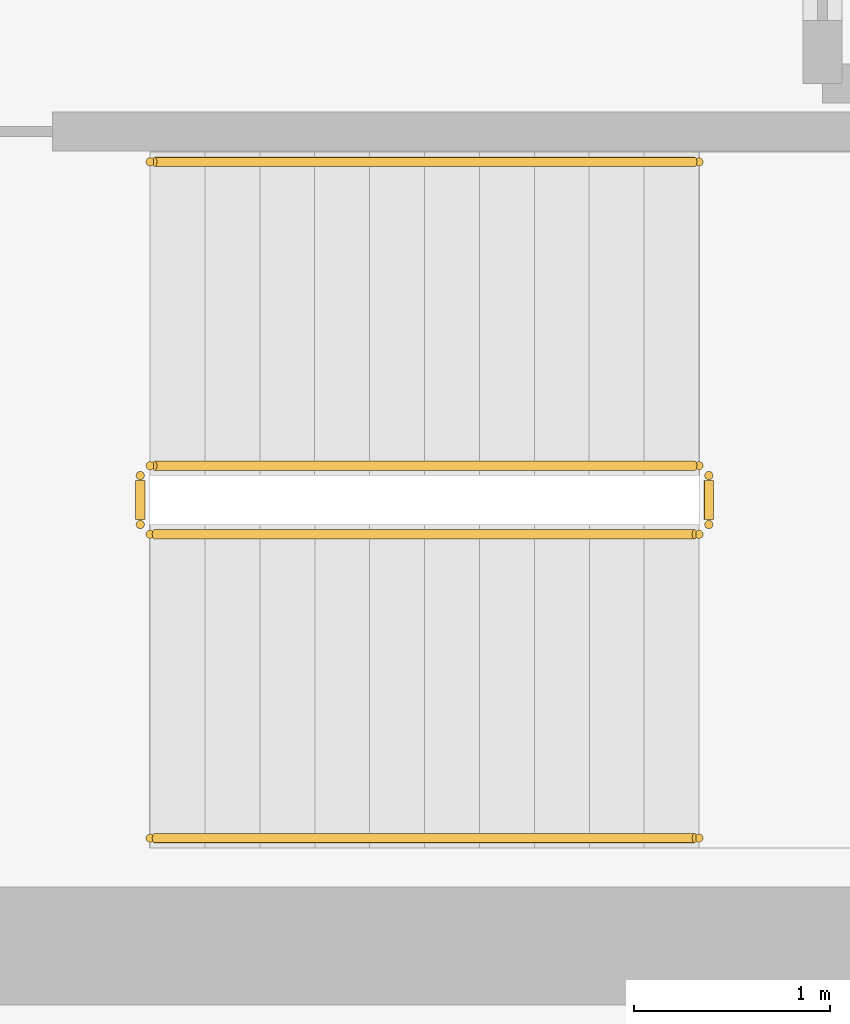
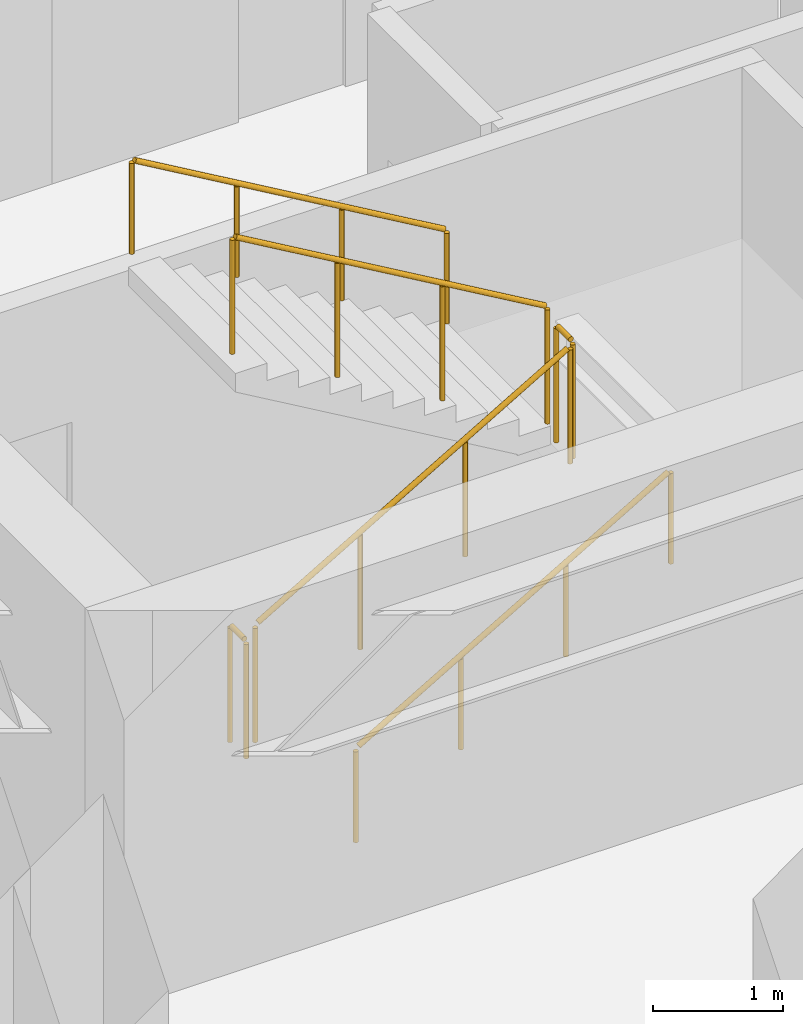
# One storey, part 11 of 11: 6 railings.
"""IFC4 building model written with IfcOpenShell, lengths in metres."""

from ifc_helpers import new_model, si_unit, direction, frame, origin, origin_2d, place, context, subcontext, project, spatial, circle, extrude, source, transform, mapped, material, layer, layer_set, type_object, element, save


model = new_model("IFC4")

# Units and contexts
model_context = context("Model", 3, precision=1e-05, world=origin(), true_north=direction((0.0, 1.0)))
body_context = subcontext(model_context, "Body", "Model", "MODEL_VIEW")
ifc_project = project(units=[si_unit("LENGTHUNIT", "METRE"), si_unit("AREAUNIT", "SQUARE_METRE"), si_unit("VOLUMEUNIT", "CUBIC_METRE"), si_unit("PLANEANGLEUNIT", "RADIAN"), si_unit("MASSUNIT", "GRAM", prefix="KILO")], contexts=[model_context])

# Site, building, storey
site_placement = place(None, origin())
site = spatial("IfcSite", under=ifc_project, at=site_placement, CompositionType="ELEMENT")
building_placement = place(site_placement, origin())
building = spatial("IfcBuilding", under=site, at=building_placement, Name="Kharzan Plaza Tower", CompositionType="ELEMENT")
storey_placement = place(building_placement, frame((0.0, 0.0, 193.5)))
storey = spatial("IfcBuildingStorey", under=building, at=storey_placement, Name="L52", CompositionType="ELEMENT", Elevation=193.5)

# Railings
ifc_material_1 = material(Name="Painted Galvanized Architectural Steel", Category="steel")
ifc_layer_1 = layer(ifc_material_1, 0.074951171875)
ifc_layer_set_1 = layer_set([ifc_layer_1], Name="Painted Galvanized Architectural Steel")
railing_type_1 = type_object("IfcRailingType", Name="RL-GUARD-1120", PredefinedType="BALUSTRADE", material=ifc_layer_set_1)
shared_shape_1 = source(origin(), body_context, "Body", "SweptSolid", [
    extrude(circle(Radius=0.02392578125, at=origin_2d()), frame((0.0, 0.0263671875, 1.09619140625), z_axis=(0.0, 1.0, 0.0), x_axis=(-1.0, 0.0, 0.0)), (0.0, 0.0, 1.0), 0.197021484375),
    extrude(circle(Radius=0.02099609375, at=origin_2d()), origin(), (0.0, 0.0, 1.0), 1.072021484375),
    extrude(circle(Radius=0.02099609375, at=origin_2d()), frame((0.0, 0.25, 0.0)), (0.0, 0.0, 1.0), 1.072021484375),
])
for number, where, name in (
    (1, (41.10009765625, 6.64990234375, 1.800048828125), "L52 ST-3 stair guard 2"),
    (2, (38.199951171875, 6.64990234375, 0.0), "L52 ST-3 stair guard 4"),
):
    element("IfcRailing", number, at=place(storey_placement, frame(where)), inside=storey, type_object=railing_type_1, Name=name, PredefinedType="BALUSTRADE", context=body_context, shape_type="MappedRepresentation", body=[
        mapped(shared_shape_1, transform((0.0, 0.0, 0.0), x_axis=(1.0, 0.0, 0.0), y_axis=(0.0, 1.0, 0.0), z_axis=(0.0, 0.0, 1.0))),
    ])
shared_shape_2 = source(origin(), body_context, "Body", "SweptSolid", [
    extrude(circle(Radius=0.02392578125, at=origin_2d()), frame((0.02294921875, 0.0, 1.109375), z_axis=(0.863360870873, 0.0, 0.504586966384), x_axis=(0.0, 1.0, 0.0)), (0.0, 0.0, 1.0), 3.190185546875),
    extrude(circle(Radius=0.02099609375, at=origin_2d()), origin(), (0.0, 0.0, 1.0), 1.072021484375),
    extrude(circle(Radius=0.02099609375, at=origin_2d()), frame((0.933349609375, 0.0, 0.54541015625)), (0.0, 0.0, 1.0), 1.072021484375),
    extrude(circle(Radius=0.02099609375, at=origin_2d()), frame((1.86669921875, 0.0, 1.091064453125)), (0.0, 0.0, 1.0), 1.072021484375),
    extrude(circle(Radius=0.02099609375, at=origin_2d()), frame((2.800048828125, 0.0, 1.636474609375)), (0.0, 0.0, 1.0), 1.072021484375),
])
railing_1_placement = place(storey_placement, frame((38.25, 6.60009765625, 0.16357421875)))
element("IfcRailing", 3, at=railing_1_placement, inside=storey, type_object=railing_type_1, Name="L52 ST-3 stair guard 1", PredefinedType="BALUSTRADE", context=body_context, shape_type="MappedRepresentation", body=[
    mapped(shared_shape_2, transform((0.0, 0.0, 0.0), x_axis=(1.0, 0.0, 0.0), y_axis=(0.0, 1.0, 0.0), z_axis=(0.0, 0.0, 1.0))),
])
shared_shape_3 = source(origin(), body_context, "Body", "SweptSolid", [
    extrude(circle(Radius=0.02392578125, at=origin_2d()), frame((-0.02294921875, 0.0, 1.109375), z_axis=(-0.863360870873, 0.0, 0.504586966384), x_axis=(0.0, -1.0, 0.0)), (0.0, 0.0, 1.0), 3.190185546875),
    extrude(circle(Radius=0.02099609375, at=origin_2d()), origin(), (0.0, 0.0, 1.0), 1.072021484375),
    extrude(circle(Radius=0.02099609375, at=origin_2d()), frame((-0.933349609375, 0.0, 0.54541015625)), (0.0, 0.0, 1.0), 1.072021484375),
    extrude(circle(Radius=0.02099609375, at=origin_2d()), frame((-1.86669921875, 0.0, 1.091064453125)), (0.0, 0.0, 1.0), 1.072021484375),
    extrude(circle(Radius=0.02099609375, at=origin_2d()), frame((-2.800048828125, 0.0, 1.636474609375)), (0.0, 0.0, 1.0), 1.072021484375),
])
railing_2_placement = place(storey_placement, frame((41.050048828125, 6.949951171875, 1.963623046875)))
element("IfcRailing", 4, at=railing_2_placement, inside=storey, type_object=railing_type_1, Name="L52 ST-3 stair guard 3", PredefinedType="BALUSTRADE", context=body_context, shape_type="MappedRepresentation", body=[
    mapped(shared_shape_3, transform((0.0, 0.0, 0.0), x_axis=(1.0, 0.0, 0.0), y_axis=(0.0, 1.0, 0.0), z_axis=(0.0, 0.0, 1.0))),
])
ifc_material_2 = material(Name="Brushed Stainless Steel", Category="steel")
ifc_layer_2 = layer(ifc_material_2, 0.050048828125)
ifc_layer_set_2 = layer_set([ifc_layer_2], Name="Brushed Stainless Steel")
railing_type_2 = type_object("IfcRailingType", Name="RL-STAIR-HR920", PredefinedType="HANDRAIL", material=ifc_layer_set_2)
shared_shape_4 = source(origin(), body_context, "Body", "SweptSolid", [
    extrude(circle(Radius=0.02392578125, at=origin_2d()), frame((0.02294921875, 0.0, 0.88916015625), z_axis=(0.863360870873, 0.0, 0.504586966384), x_axis=(0.0, 1.0, 0.0)), (0.0, 0.0, 1.0), 3.190185546875),
    extrude(circle(Radius=0.02099609375, at=origin_2d()), origin(), (0.0, 0.0, 1.0), 0.851806640625),
    extrude(circle(Radius=0.02099609375, at=origin_2d()), frame((0.933349609375, 0.0, 0.54541015625)), (0.0, 0.0, 1.0), 0.851806640625),
    extrude(circle(Radius=0.02099609375, at=origin_2d()), frame((1.86669921875, 0.0, 1.091064453125)), (0.0, 0.0, 1.0), 0.851806640625),
    extrude(circle(Radius=0.02099609375, at=origin_2d()), frame((2.800048828125, 0.0, 1.636474609375)), (0.0, 0.0, 1.0), 0.851806640625),
])
railing_3_placement = place(storey_placement, frame((38.25, 5.050048828125, 0.16357421875)))
element("IfcRailing", 5, at=railing_3_placement, inside=storey, type_object=railing_type_2, Name="L52 ST-3 stair handrail 1", PredefinedType="HANDRAIL", context=body_context, shape_type="MappedRepresentation", body=[
    mapped(shared_shape_4, transform((0.0, 0.0, 0.0), x_axis=(1.0, 0.0, 0.0), y_axis=(0.0, 1.0, 0.0), z_axis=(0.0, 0.0, 1.0))),
])
shared_shape_5 = source(origin(), body_context, "Body", "SweptSolid", [
    extrude(circle(Radius=0.02392578125, at=origin_2d()), frame((-0.02294921875, 0.0, 0.88916015625), z_axis=(-0.863360870873, 0.0, 0.504586966384), x_axis=(0.0, -1.0, 0.0)), (0.0, 0.0, 1.0), 3.190185546875),
    extrude(circle(Radius=0.02099609375, at=origin_2d()), origin(), (0.0, 0.0, 1.0), 0.851806640625),
    extrude(circle(Radius=0.02099609375, at=origin_2d()), frame((-0.933349609375, 0.0, 0.54541015625)), (0.0, 0.0, 1.0), 0.851806640625),
    extrude(circle(Radius=0.02099609375, at=origin_2d()), frame((-1.86669921875, 0.0, 1.091064453125)), (0.0, 0.0, 1.0), 0.851806640625),
    extrude(circle(Radius=0.02099609375, at=origin_2d()), frame((-2.800048828125, 0.0, 1.636474609375)), (0.0, 0.0, 1.0), 0.851806640625),
])
railing_4_placement = place(storey_placement, frame((41.050048828125, 8.5, 1.963623046875)))
element("IfcRailing", 6, at=railing_4_placement, inside=storey, type_object=railing_type_2, Name="L52 ST-3 stair handrail 2", PredefinedType="HANDRAIL", context=body_context, shape_type="MappedRepresentation", body=[
    mapped(shared_shape_5, transform((0.0, 0.0, 0.0), x_axis=(1.0, 0.0, 0.0), y_axis=(0.0, 1.0, 0.0), z_axis=(0.0, 0.0, 1.0))),
])

save(model, "model.ifc")
